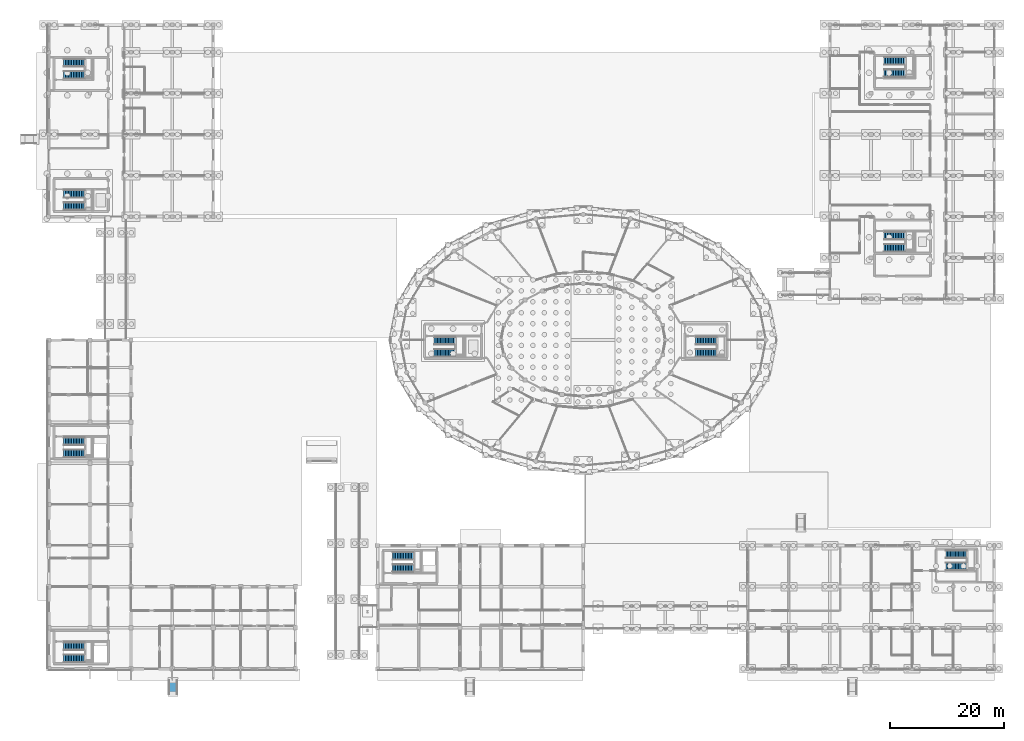
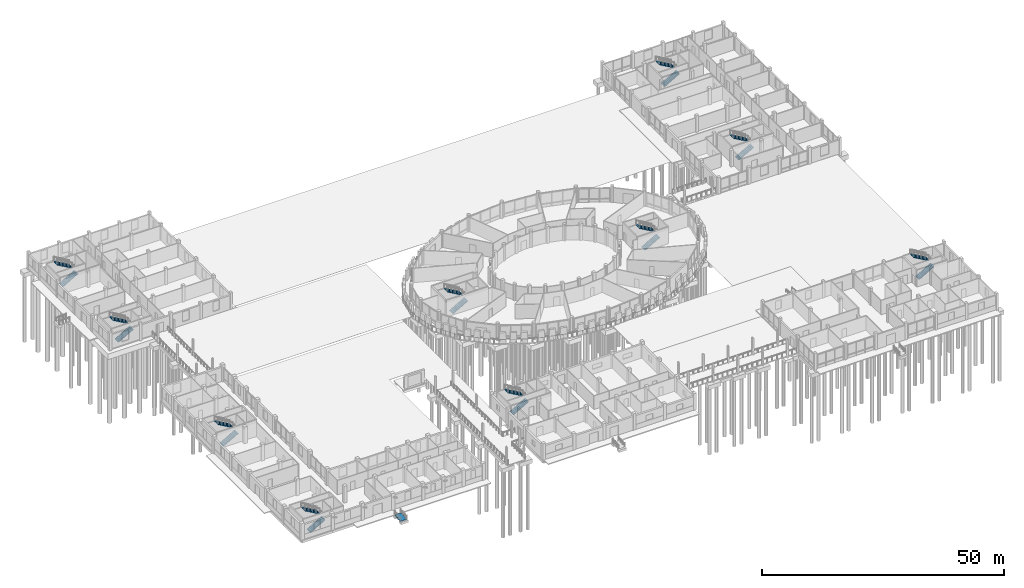
# One storey, part 86 of 98: 20 stair flights, 1 ramp flight, 11 elements without a shape of their own.
"""IFC4 building model written with IfcOpenShell, lengths in metres."""

import ifcopenshell
import ifcopenshell.guid

model = None  # the IFC model being written
_history = None  # IfcOwnerHistory: only IFC2X3 demands one
_inside = {}  # id of a spatial element -> (the spatial element, [elements in it])
_under = {}  # id of a project, library or spatial element -> (it, [spatial elements below it])
_declared = {}  # id of a project -> (the project, [libraries it declares])
_typed = {}  # id of a type object -> (the type object, [elements of that type])
_made_of = {}  # id of a material, layer set ... -> (it, [elements and type objects made of it])


def new_model(schema):
    """Start an empty IFC model of exactly this schema.

    Asked for "IFC4X3", IfcOpenShell would pick the latest addendum, in which some entities
    have other attributes; the version numbers below select the first issue.
    IFC2X3 requires an IfcOwnerHistory on every rooted entity: one is made here for all.
    """
    global model, _history
    if schema == "IFC4X3":
        model = ifcopenshell.file(schema_version=(4, 3, 0, 0))
    else:
        model = ifcopenshell.file(schema=schema)
    _inside.clear()
    _under.clear()
    _declared.clear()
    _typed.clear()
    _made_of.clear()
    _history = None
    if model.schema == "IFC2X3":
        org = make("IfcOrganization", Name="unknown")
        user = make(
            "IfcPersonAndOrganization",
            ThePerson=make("IfcPerson", FamilyName="unknown"),
            TheOrganization=org,
        )
        app = make(
            "IfcApplication",
            ApplicationDeveloper=org,
            Version="unknown",
            ApplicationFullName="unknown",
            ApplicationIdentifier="unknown",
        )
        _history = make(
            "IfcOwnerHistory",
            OwningUser=user,
            OwningApplication=app,
            ChangeAction="ADDED",
            CreationDate=0,
        )
    return model


def make(cls, **values):
    """One entity of the class cls with the attributes given. An attribute that is None is left unset."""
    return model.create_entity(
        cls, **{name: value for name, value in values.items() if value is not None}
    )


def rooted(cls, **values):
    """An entity with a GlobalId (a new one), such as an element, a storey or a relation."""
    return make(cls, GlobalId=ifcopenshell.guid.new(), OwnerHistory=_history, **values)


def si_unit(unit_type, name, prefix=None):
    """IfcSIUnit, for example si_unit("LENGTHUNIT", "METRE", prefix="MILLI")."""
    return make("IfcSIUnit", UnitType=unit_type, Prefix=prefix, Name=name)


def assignment(units):
    """IfcUnitAssignment: the units of a project."""
    return None if units is None else make("IfcUnitAssignment", Units=units)


def point(xyz):
    """IfcCartesianPoint."""
    return None if xyz is None else make("IfcCartesianPoint", Coordinates=xyz)


def direction(xyz):
    """IfcDirection."""
    return None if xyz is None else make("IfcDirection", DirectionRatios=xyz)


def frame(location, z_axis=None, x_axis=None):
    """IfcAxis2Placement3D, a coordinate frame: its origin and axes. An axis left out is left unset."""
    return make(
        "IfcAxis2Placement3D",
        Location=point(location),
        Axis=direction(z_axis),
        RefDirection=direction(x_axis),
    )


def origin():
    """The frame at (0, 0, 0) with its axes left unset."""
    return frame((0.0, 0.0, 0.0))


def place(relative_to, where):
    """IfcLocalPlacement: puts the frame where relative to a parent placement (None: the world)."""
    return make(
        "IfcLocalPlacement", PlacementRelTo=relative_to, RelativePlacement=where
    )


def context(
    kind, dimensions, precision=None, world=None, true_north=None, identifier=None
):
    """IfcGeometricRepresentationContext, for example the 3D "Model" context."""
    return make(
        "IfcGeometricRepresentationContext",
        ContextIdentifier=identifier,
        ContextType=kind,
        CoordinateSpaceDimension=dimensions,
        Precision=precision,
        WorldCoordinateSystem=world,
        TrueNorth=true_north,
    )


def subcontext(parent, identifier, kind, view, scale=None):
    """IfcGeometricRepresentationSubContext, for example "Body" below "Model"."""
    return make(
        "IfcGeometricRepresentationSubContext",
        ContextIdentifier=identifier,
        ContextType=kind,
        ParentContext=parent,
        TargetScale=scale,
        TargetView=view,
    )


def project(units=None, contexts=None):
    """IfcProject with its units and contexts."""
    return rooted(
        "IfcProject",
        Name="project",
        RepresentationContexts=contexts,
        UnitsInContext=assignment(units),
    )


def spatial(cls, under=None, at=None, **own):
    """A site, building, storey or space (cls), placed at a placement, below another one or the project."""
    s = rooted(cls, ObjectPlacement=at, **own)
    if under is not None:
        _under.setdefault(under.id(), (under, []))[1].append(s)
    return s


def polyline(points):
    """IfcPolyline through the points."""
    return make("IfcPolyline", Points=[point(p) for p in points])


def outline(outer, holes=None, kind="AREA"):
    """IfcArbitraryClosedProfileDef: a profile drawn as a closed curve; with holes, ...WithVoids."""
    if holes is None:
        return make("IfcArbitraryClosedProfileDef", ProfileType=kind, OuterCurve=outer)
    return make(
        "IfcArbitraryProfileDefWithVoids",
        ProfileType=kind,
        OuterCurve=outer,
        InnerCurves=holes,
    )


def extrude(swept, where, along, depth):
    """IfcExtrudedAreaSolid: the profile swept, set in the frame where, extruded along a direction by depth."""
    return make(
        "IfcExtrudedAreaSolid",
        SweptArea=swept,
        Position=where,
        ExtrudedDirection=direction(along),
        Depth=depth,
    )


def shape(context_of_items, identifier, shape_type, items):
    """IfcShapeRepresentation: the items that make up one representation, for example the "Body"."""
    return make(
        "IfcShapeRepresentation",
        ContextOfItems=context_of_items,
        RepresentationIdentifier=identifier,
        RepresentationType=shape_type,
        Items=items,
    )


def material(Name=None, Category=None):
    """IfcMaterial."""
    return make("IfcMaterial", Name=Name, Category=Category)


def layer(
    of_material, thickness, ventilated=None, Name=None, Category=None, Priority=None
):
    """IfcMaterialLayer: one layer of a wall or slab, of a material (None: an air gap)."""
    return make(
        "IfcMaterialLayer",
        Material=of_material,
        LayerThickness=thickness,
        IsVentilated=ventilated,
        Name=Name,
        Category=Category,
        Priority=Priority,
    )


def layer_set(layers, Name=None):
    """IfcMaterialLayerSet."""
    return make("IfcMaterialLayerSet", MaterialLayers=layers, LayerSetName=Name)


def made_of(thing, what):
    """Note that an element or type object is made of a material, layer set ...; save() writes the relation."""
    if what is not None:
        _made_of.setdefault(what.id(), (what, []))[1].append(thing)
    return thing


def type_object(cls, material=None, **own):
    """A type object (cls), such as IfcWallType, which elements share."""
    return made_of(rooted(cls, **own), material)


def element(
    cls,
    number,
    at=None,
    inside=None,
    cuts=None,
    type_object=None,
    material=None,
    context=None,
    identifier="Body",
    shape_type=None,
    held_by="IfcProductDefinitionShape",
    body=None,
    shapes=None,
    **own,
):
    """One element of the class cls, such as IfcWall. Its Tag is "e" and its number.

    at: its placement. inside: the storey or other place that contains it. cuts: it is an
    opening in that element (IfcRelVoidsElement). A single representation is given by context,
    identifier, shape_type and body (its items); several are given by shapes. held_by: the class
    of the entity that holds the representations. save() writes the other relations.
    """
    e = rooted(cls, Tag="e%d" % number, ObjectPlacement=at, **own)
    if body is not None:
        shapes = [shape(context, identifier, shape_type, body)]
    if shapes is not None:
        e.Representation = make(held_by, Representations=shapes)
    if inside is not None:
        _inside.setdefault(inside.id(), (inside, []))[1].append(e)
    if cuts is not None:
        rooted(
            "IfcRelVoidsElement", RelatingBuildingElement=cuts, RelatedOpeningElement=e
        )
    if type_object is not None:
        _typed.setdefault(type_object.id(), (type_object, []))[1].append(e)
    return made_of(e, material)


def aggregate(whole, parts):
    """IfcRelAggregates: a whole, such as a stair, and the parts it consists of."""
    return rooted("IfcRelAggregates", RelatingObject=whole, RelatedObjects=parts)


def save(model, path):
    """Write the relations noted so far, then the file.

    IfcRelAggregates (storeys below a building ...), IfcRelContainedInSpatialStructure (elements
    in a storey), IfcRelDefinesByType, IfcRelAssociatesMaterial and IfcRelDeclares: one each for
    every whole, place, type object, material and project.
    """
    for whole, parts in _under.values():
        aggregate(whole, parts)
    for where, things in _inside.values():
        rooted(
            "IfcRelContainedInSpatialStructure",
            RelatedElements=things,
            RelatingStructure=where,
        )
    for kind, things in _typed.values():
        rooted("IfcRelDefinesByType", RelatedObjects=things, RelatingType=kind)
    for what, things in _made_of.values():
        rooted("IfcRelAssociatesMaterial", RelatedObjects=things, RelatingMaterial=what)
    for by, libraries in _declared.values():
        rooted("IfcRelDeclares", RelatingContext=by, RelatedDefinitions=libraries)
    model.write(path)


model = new_model("IFC4")

# Units and contexts
model_context = context("Model", 3, precision=1e-05, world=origin(), true_north=direction((0.0, 1.0)))
body_context = subcontext(model_context, "Body", "Model", "MODEL_VIEW")
ifc_project = project(units=[si_unit("LENGTHUNIT", "METRE"), si_unit("AREAUNIT", "SQUARE_METRE"), si_unit("VOLUMEUNIT", "CUBIC_METRE"), si_unit("PLANEANGLEUNIT", "RADIAN"), si_unit("MASSUNIT", "GRAM", prefix="KILO")], contexts=[model_context])

# Site, building, storey
site_placement = place(None, origin())
site = spatial("IfcSite", under=ifc_project, at=site_placement, CompositionType="ELEMENT")
building_placement = place(site_placement, origin())
building = spatial("IfcBuilding", under=site, at=building_placement, Name="Zornivar Specialist Clinic", CompositionType="ELEMENT")
storey_placement = place(building_placement, origin())
storey = spatial("IfcBuildingStorey", under=building, at=storey_placement, Name="L00", CompositionType="ELEMENT", Elevation=0.0)

# Stair, stair flights
ifc_material_1 = material(Name="Concrete C30/37", Category="concrete")
stair_type = type_object("IfcStairType", Name="STR-CORE-L00-L01", PredefinedType="HALF_TURN_STAIR", material=ifc_material_1)
stair_1_placement = place(storey_placement, origin())
stair_1 = element("IfcStair", 1, at=stair_1_placement, inside=storey, type_object=stair_type, Name="stair:C1:L00", PredefinedType="HALF_TURN_STAIR")
ifc_material_2 = material(Name="Concrete C30/37", Category="concrete")
stair_flight_type = type_object("IfcStairFlightType", Name="STR-CORE-L00-L01-FLT", PredefinedType="STRAIGHT", material=ifc_material_2)
stair_flight_1_placement = place(storey_placement, frame((2.60009765625, 1.820068359375, 0.0), z_axis=(0.0, 0.0, 1.0), x_axis=(1.0, 0.0, 0.0)))
stair_flight_1 = element("IfcStairFlight", 2, at=stair_flight_1_placement, type_object=stair_flight_type, Name="stair:C1:L00:f1", NumberOfRisers=14, NumberOfTreads=13, PredefinedType="STRAIGHT", RiserHeight=0.160714, TreadLength=0.28, context=body_context, shape_type="SweptSolid", body=[
    extrude(outline(polyline([(0.0, 0.0), (0.0, 0.16064453125), (0.280029296875, 0.16064453125), (0.280029296875, 0.321533203125), (0.56005859375, 0.321533203125), (0.56005859375, 0.482177734375), (0.840087890625, 0.482177734375), (0.840087890625, 0.642822265625), (1.1201171875, 0.642822265625), (1.1201171875, 0.803466796875), (1.39990234375, 0.803466796875), (1.39990234375, 0.96435546875), (1.679931640625, 0.96435546875), (1.679931640625, 1.125), (1.9599609375, 1.125), (1.9599609375, 1.28564453125), (2.239990234375, 1.28564453125), (2.239990234375, 1.446533203125), (2.52001953125, 1.446533203125), (2.52001953125, 1.607177734375), (2.800048828125, 1.607177734375), (2.800048828125, 1.767822265625), (3.080078125, 1.767822265625), (3.080078125, 1.928466796875), (3.360107421875, 1.928466796875), (3.360107421875, 2.08935546875), (3.639892578125, 2.08935546875), (3.639892578125, 2.25), (3.639892578125, 1.90478515625), (0.3212890625, 0.0), (0.0, 0.0)])), frame((0.0, 0.699951171875, 0.0), z_axis=(0.0, -1.0, 0.0), x_axis=(1.0, 0.0, 0.0)), (0.0, 0.0, 1.0), 1.39990234375),
])
stair_flight_2_placement = place(storey_placement, frame((6.239990234375, 3.97998046875, 2.25), z_axis=(0.0, 0.0, 1.0), x_axis=(-1.0, 0.0, 0.0)))
stair_flight_2 = element("IfcStairFlight", 3, at=stair_flight_2_placement, type_object=stair_flight_type, Name="stair:C1:L00:f2", NumberOfRisers=14, NumberOfTreads=13, PredefinedType="STRAIGHT", RiserHeight=0.160714, TreadLength=0.28, context=body_context, shape_type="SweptSolid", body=[
    extrude(outline(polyline([(0.0, 0.0), (0.0, 0.16064453125), (0.280029296875, 0.16064453125), (0.280029296875, 0.321533203125), (0.56005859375, 0.321533203125), (0.56005859375, 0.482177734375), (0.840087890625, 0.482177734375), (0.840087890625, 0.642822265625), (1.1201171875, 0.642822265625), (1.1201171875, 0.803466796875), (1.39990234375, 0.803466796875), (1.39990234375, 0.96435546875), (1.679931640625, 0.96435546875), (1.679931640625, 1.125), (1.9599609375, 1.125), (1.9599609375, 1.28564453125), (2.239990234375, 1.28564453125), (2.239990234375, 1.446533203125), (2.52001953125, 1.446533203125), (2.52001953125, 1.607177734375), (2.800048828125, 1.607177734375), (2.800048828125, 1.767822265625), (3.080078125, 1.767822265625), (3.080078125, 1.928466796875), (3.360107421875, 1.928466796875), (3.360107421875, 2.08935546875), (3.639892578125, 2.08935546875), (3.639892578125, 2.25), (3.639892578125, 1.90478515625), (0.3212890625, 0.0), (0.0, 0.0)])), frame((0.0, 0.699951171875, 0.0), z_axis=(0.0, -1.0, 0.0), x_axis=(1.0, 0.0, 0.0)), (0.0, 0.0, 1.0), 1.39990234375),
])
aggregate(stair_1, [stair_flight_1, stair_flight_2])

stair_2_placement = place(storey_placement, origin())
stair_2 = element("IfcStair", 4, at=stair_2_placement, inside=storey, type_object=stair_type, Name="stair:C2:L00", PredefinedType="HALF_TURN_STAIR")
stair_flight_3_placement = place(storey_placement, frame((2.60009765625, 37.719970703125, 0.0), z_axis=(0.0, 0.0, 1.0), x_axis=(1.0, 0.0, 0.0)))
stair_flight_3 = element("IfcStairFlight", 5, at=stair_flight_3_placement, type_object=stair_flight_type, Name="stair:C2:L00:f1", NumberOfRisers=14, NumberOfTreads=13, PredefinedType="STRAIGHT", RiserHeight=0.160714, TreadLength=0.28, context=body_context, shape_type="SweptSolid", body=[
    extrude(outline(polyline([(0.0, 0.0), (0.0, 0.16064453125), (0.280029296875, 0.16064453125), (0.280029296875, 0.321533203125), (0.56005859375, 0.321533203125), (0.56005859375, 0.482177734375), (0.840087890625, 0.482177734375), (0.840087890625, 0.642822265625), (1.1201171875, 0.642822265625), (1.1201171875, 0.803466796875), (1.39990234375, 0.803466796875), (1.39990234375, 0.96435546875), (1.679931640625, 0.96435546875), (1.679931640625, 1.125), (1.9599609375, 1.125), (1.9599609375, 1.28564453125), (2.239990234375, 1.28564453125), (2.239990234375, 1.446533203125), (2.52001953125, 1.446533203125), (2.52001953125, 1.607177734375), (2.800048828125, 1.607177734375), (2.800048828125, 1.767822265625), (3.080078125, 1.767822265625), (3.080078125, 1.928466796875), (3.360107421875, 1.928466796875), (3.360107421875, 2.08935546875), (3.639892578125, 2.08935546875), (3.639892578125, 2.25), (3.639892578125, 1.90478515625), (0.3212890625, 0.0), (0.0, 0.0)])), frame((0.0, 0.699951171875, 0.0), z_axis=(0.0, -1.0, 0.0), x_axis=(1.0, 0.0, 0.0)), (0.0, 0.0, 1.0), 1.39990234375),
])
stair_flight_4_placement = place(storey_placement, frame((6.239990234375, 39.8798828125, 2.25), z_axis=(0.0, 0.0, 1.0), x_axis=(-1.0, 0.0, 0.0)))
stair_flight_4 = element("IfcStairFlight", 6, at=stair_flight_4_placement, type_object=stair_flight_type, Name="stair:C2:L00:f2", NumberOfRisers=14, NumberOfTreads=13, PredefinedType="STRAIGHT", RiserHeight=0.160714, TreadLength=0.28, context=body_context, shape_type="SweptSolid", body=[
    extrude(outline(polyline([(0.0, 0.0), (0.0, 0.16064453125), (0.280029296875, 0.16064453125), (0.280029296875, 0.321533203125), (0.56005859375, 0.321533203125), (0.56005859375, 0.482177734375), (0.840087890625, 0.482177734375), (0.840087890625, 0.642822265625), (1.1201171875, 0.642822265625), (1.1201171875, 0.803466796875), (1.39990234375, 0.803466796875), (1.39990234375, 0.96435546875), (1.679931640625, 0.96435546875), (1.679931640625, 1.125), (1.9599609375, 1.125), (1.9599609375, 1.28564453125), (2.239990234375, 1.28564453125), (2.239990234375, 1.446533203125), (2.52001953125, 1.446533203125), (2.52001953125, 1.607177734375), (2.800048828125, 1.607177734375), (2.800048828125, 1.767822265625), (3.080078125, 1.767822265625), (3.080078125, 1.928466796875), (3.360107421875, 1.928466796875), (3.360107421875, 2.08935546875), (3.639892578125, 2.08935546875), (3.639892578125, 2.25), (3.639892578125, 1.90478515625), (0.3212890625, 0.0), (0.0, 0.0)])), frame((0.0, 0.699951171875, 0.0), z_axis=(0.0, -1.0, 0.0), x_axis=(1.0, 0.0, 0.0)), (0.0, 0.0, 1.0), 1.39990234375),
])
aggregate(stair_2, [stair_flight_3, stair_flight_4])

stair_3_placement = place(storey_placement, origin())
stair_3 = element("IfcStair", 7, at=stair_3_placement, inside=storey, type_object=stair_type, Name="stair:C3:L00", PredefinedType="HALF_TURN_STAIR")
stair_flight_5_placement = place(storey_placement, frame((67.5, 55.320068359375, 0.0), z_axis=(0.0, 0.0, 1.0), x_axis=(1.0, 0.0, 0.0)))
stair_flight_5 = element("IfcStairFlight", 8, at=stair_flight_5_placement, type_object=stair_flight_type, Name="stair:C3:L00:f1", NumberOfRisers=14, NumberOfTreads=13, PredefinedType="STRAIGHT", RiserHeight=0.160714, TreadLength=0.28, context=body_context, shape_type="SweptSolid", body=[
    extrude(outline(polyline([(0.0, 0.0), (0.0, 0.16064453125), (0.280029296875, 0.16064453125), (0.280029296875, 0.321533203125), (0.56005859375, 0.321533203125), (0.56005859375, 0.482177734375), (0.840087890625, 0.482177734375), (0.840087890625, 0.642822265625), (1.1201171875, 0.642822265625), (1.1201171875, 0.803466796875), (1.39990234375, 0.803466796875), (1.39990234375, 0.96435546875), (1.679931640625, 0.96435546875), (1.679931640625, 1.125), (1.9599609375, 1.125), (1.9599609375, 1.28564453125), (2.239990234375, 1.28564453125), (2.239990234375, 1.446533203125), (2.52001953125, 1.446533203125), (2.52001953125, 1.607177734375), (2.800048828125, 1.607177734375), (2.800048828125, 1.767822265625), (3.080078125, 1.767822265625), (3.080078125, 1.928466796875), (3.360107421875, 1.928466796875), (3.360107421875, 2.08935546875), (3.639892578125, 2.08935546875), (3.639892578125, 2.25), (3.639892578125, 1.90478515625), (0.3212890625, 0.0), (0.0, 0.0)])), frame((0.0, 0.699951171875, 0.0), z_axis=(0.0, -1.0, 0.0), x_axis=(1.0, 0.0, 0.0)), (0.0, 0.0, 1.0), 1.39990234375),
])
stair_flight_6_placement = place(storey_placement, frame((71.139892578125, 57.47998046875, 2.25), z_axis=(0.0, 0.0, 1.0), x_axis=(-1.0, 0.0, 0.0)))
stair_flight_6 = element("IfcStairFlight", 9, at=stair_flight_6_placement, type_object=stair_flight_type, Name="stair:C3:L00:f2", NumberOfRisers=14, NumberOfTreads=13, PredefinedType="STRAIGHT", RiserHeight=0.160714, TreadLength=0.28, context=body_context, shape_type="SweptSolid", body=[
    extrude(outline(polyline([(0.0, 0.0), (0.0, 0.16064453125), (0.280029296875, 0.16064453125), (0.280029296875, 0.321533203125), (0.56005859375, 0.321533203125), (0.56005859375, 0.482177734375), (0.840087890625, 0.482177734375), (0.840087890625, 0.642822265625), (1.1201171875, 0.642822265625), (1.1201171875, 0.803466796875), (1.39990234375, 0.803466796875), (1.39990234375, 0.96435546875), (1.679931640625, 0.96435546875), (1.679931640625, 1.125), (1.9599609375, 1.125), (1.9599609375, 1.28564453125), (2.239990234375, 1.28564453125), (2.239990234375, 1.446533203125), (2.52001953125, 1.446533203125), (2.52001953125, 1.607177734375), (2.800048828125, 1.607177734375), (2.800048828125, 1.767822265625), (3.080078125, 1.767822265625), (3.080078125, 1.928466796875), (3.360107421875, 1.928466796875), (3.360107421875, 2.08935546875), (3.639892578125, 2.08935546875), (3.639892578125, 2.25), (3.639892578125, 1.90478515625), (0.3212890625, 0.0), (0.0, 0.0)])), frame((0.0, 0.699951171875, 0.0), z_axis=(0.0, -1.0, 0.0), x_axis=(1.0, 0.0, 0.0)), (0.0, 0.0, 1.0), 1.39990234375),
])
aggregate(stair_3, [stair_flight_5, stair_flight_6])

stair_4_placement = place(storey_placement, origin())
stair_4 = element("IfcStair", 10, at=stair_4_placement, inside=storey, type_object=stair_type, Name="stair:C4:L00", PredefinedType="HALF_TURN_STAIR")
stair_flight_7_placement = place(storey_placement, frame((113.300048828125, 55.320068359375, 0.0), z_axis=(0.0, 0.0, 1.0), x_axis=(1.0, 0.0, 0.0)))
stair_flight_7 = element("IfcStairFlight", 11, at=stair_flight_7_placement, type_object=stair_flight_type, Name="stair:C4:L00:f1", NumberOfRisers=14, NumberOfTreads=13, PredefinedType="STRAIGHT", RiserHeight=0.160714, TreadLength=0.28, context=body_context, shape_type="SweptSolid", body=[
    extrude(outline(polyline([(0.0, 0.0), (0.0, 0.16064453125), (0.280029296875, 0.16064453125), (0.280029296875, 0.321533203125), (0.56005859375, 0.321533203125), (0.56005859375, 0.482177734375), (0.840087890625, 0.482177734375), (0.840087890625, 0.642822265625), (1.1201171875, 0.642822265625), (1.1201171875, 0.803466796875), (1.39990234375, 0.803466796875), (1.39990234375, 0.96435546875), (1.679931640625, 0.96435546875), (1.679931640625, 1.125), (1.9599609375, 1.125), (1.9599609375, 1.28564453125), (2.239990234375, 1.28564453125), (2.239990234375, 1.446533203125), (2.52001953125, 1.446533203125), (2.52001953125, 1.607177734375), (2.800048828125, 1.607177734375), (2.800048828125, 1.767822265625), (3.080078125, 1.767822265625), (3.080078125, 1.928466796875), (3.360107421875, 1.928466796875), (3.360107421875, 2.08935546875), (3.639892578125, 2.08935546875), (3.639892578125, 2.25), (3.639892578125, 1.90478515625), (0.3212890625, 0.0), (0.0, 0.0)])), frame((0.0, 0.699951171875, 0.0), z_axis=(0.0, -1.0, 0.0), x_axis=(1.0, 0.0, 0.0)), (0.0, 0.0, 1.0), 1.39990234375),
])
stair_flight_8_placement = place(storey_placement, frame((116.93994140625, 57.47998046875, 2.25), z_axis=(0.0, 0.0, 1.0), x_axis=(-1.0, 0.0, 0.0)))
stair_flight_8 = element("IfcStairFlight", 12, at=stair_flight_8_placement, type_object=stair_flight_type, Name="stair:C4:L00:f2", NumberOfRisers=14, NumberOfTreads=13, PredefinedType="STRAIGHT", RiserHeight=0.160714, TreadLength=0.28, context=body_context, shape_type="SweptSolid", body=[
    extrude(outline(polyline([(0.0, 0.0), (0.0, 0.16064453125), (0.280029296875, 0.16064453125), (0.280029296875, 0.321533203125), (0.56005859375, 0.321533203125), (0.56005859375, 0.482177734375), (0.840087890625, 0.482177734375), (0.840087890625, 0.642822265625), (1.1201171875, 0.642822265625), (1.1201171875, 0.803466796875), (1.39990234375, 0.803466796875), (1.39990234375, 0.96435546875), (1.679931640625, 0.96435546875), (1.679931640625, 1.125), (1.9599609375, 1.125), (1.9599609375, 1.28564453125), (2.239990234375, 1.28564453125), (2.239990234375, 1.446533203125), (2.52001953125, 1.446533203125), (2.52001953125, 1.607177734375), (2.800048828125, 1.607177734375), (2.800048828125, 1.767822265625), (3.080078125, 1.767822265625), (3.080078125, 1.928466796875), (3.360107421875, 1.928466796875), (3.360107421875, 2.08935546875), (3.639892578125, 2.08935546875), (3.639892578125, 2.25), (3.639892578125, 1.90478515625), (0.3212890625, 0.0), (0.0, 0.0)])), frame((0.0, 0.699951171875, 0.0), z_axis=(0.0, -1.0, 0.0), x_axis=(1.0, 0.0, 0.0)), (0.0, 0.0, 1.0), 1.39990234375),
])
aggregate(stair_4, [stair_flight_7, stair_flight_8])

stair_5_placement = place(storey_placement, origin())
stair_5 = element("IfcStair", 13, at=stair_5_placement, inside=storey, type_object=stair_type, Name="stair:C5:L00", PredefinedType="HALF_TURN_STAIR")
stair_flight_9_placement = place(storey_placement, frame((60.199951171875, 17.6201171875, 0.0), z_axis=(0.0, 0.0, 1.0), x_axis=(1.0, 0.0, 0.0)))
stair_flight_9 = element("IfcStairFlight", 14, at=stair_flight_9_placement, type_object=stair_flight_type, Name="stair:C5:L00:f1", NumberOfRisers=14, NumberOfTreads=13, PredefinedType="STRAIGHT", RiserHeight=0.160714, TreadLength=0.28, context=body_context, shape_type="SweptSolid", body=[
    extrude(outline(polyline([(0.0, 0.0), (0.0, 0.16064453125), (0.280029296875, 0.16064453125), (0.280029296875, 0.321533203125), (0.56005859375, 0.321533203125), (0.56005859375, 0.482177734375), (0.840087890625, 0.482177734375), (0.840087890625, 0.642822265625), (1.1201171875, 0.642822265625), (1.1201171875, 0.803466796875), (1.39990234375, 0.803466796875), (1.39990234375, 0.96435546875), (1.679931640625, 0.96435546875), (1.679931640625, 1.125), (1.9599609375, 1.125), (1.9599609375, 1.28564453125), (2.239990234375, 1.28564453125), (2.239990234375, 1.446533203125), (2.52001953125, 1.446533203125), (2.52001953125, 1.607177734375), (2.800048828125, 1.607177734375), (2.800048828125, 1.767822265625), (3.080078125, 1.767822265625), (3.080078125, 1.928466796875), (3.360107421875, 1.928466796875), (3.360107421875, 2.08935546875), (3.639892578125, 2.08935546875), (3.639892578125, 2.25), (3.639892578125, 1.90478515625), (0.3212890625, 0.0), (0.0, 0.0)])), frame((0.0, 0.699951171875, 0.0), z_axis=(0.0, -1.0, 0.0), x_axis=(1.0, 0.0, 0.0)), (0.0, 0.0, 1.0), 1.39990234375),
])
stair_flight_10_placement = place(storey_placement, frame((63.840087890625, 19.780029296875, 2.25), z_axis=(0.0, 0.0, 1.0), x_axis=(-1.0, 0.0, 0.0)))
stair_flight_10 = element("IfcStairFlight", 15, at=stair_flight_10_placement, type_object=stair_flight_type, Name="stair:C5:L00:f2", NumberOfRisers=14, NumberOfTreads=13, PredefinedType="STRAIGHT", RiserHeight=0.160714, TreadLength=0.28, context=body_context, shape_type="SweptSolid", body=[
    extrude(outline(polyline([(0.0, 0.0), (0.0, 0.16064453125), (0.280029296875, 0.16064453125), (0.280029296875, 0.321533203125), (0.56005859375, 0.321533203125), (0.56005859375, 0.482177734375), (0.840087890625, 0.482177734375), (0.840087890625, 0.642822265625), (1.1201171875, 0.642822265625), (1.1201171875, 0.803466796875), (1.39990234375, 0.803466796875), (1.39990234375, 0.96435546875), (1.679931640625, 0.96435546875), (1.679931640625, 1.125), (1.9599609375, 1.125), (1.9599609375, 1.28564453125), (2.239990234375, 1.28564453125), (2.239990234375, 1.446533203125), (2.52001953125, 1.446533203125), (2.52001953125, 1.607177734375), (2.800048828125, 1.607177734375), (2.800048828125, 1.767822265625), (3.080078125, 1.767822265625), (3.080078125, 1.928466796875), (3.360107421875, 1.928466796875), (3.360107421875, 2.08935546875), (3.639892578125, 2.08935546875), (3.639892578125, 2.25), (3.639892578125, 1.90478515625), (0.3212890625, 0.0), (0.0, 0.0)])), frame((0.0, 0.699951171875, 0.0), z_axis=(0.0, -1.0, 0.0), x_axis=(1.0, 0.0, 0.0)), (0.0, 0.0, 1.0), 1.39990234375),
])
aggregate(stair_5, [stair_flight_9, stair_flight_10])

stair_6_placement = place(storey_placement, origin())
stair_6 = element("IfcStair", 16, at=stair_6_placement, inside=storey, type_object=stair_type, Name="stair:C6:L00", PredefinedType="HALF_TURN_STAIR")
stair_flight_11_placement = place(storey_placement, frame((157.10009765625, 17.919921875, 0.0), z_axis=(0.0, 0.0, 1.0), x_axis=(1.0, 0.0, 0.0)))
stair_flight_11 = element("IfcStairFlight", 17, at=stair_flight_11_placement, type_object=stair_flight_type, Name="stair:C6:L00:f1", NumberOfRisers=14, NumberOfTreads=13, PredefinedType="STRAIGHT", RiserHeight=0.160714, TreadLength=0.28, context=body_context, shape_type="SweptSolid", body=[
    extrude(outline(polyline([(0.0, 0.0), (0.0, 0.16064453125), (0.280029296875, 0.16064453125), (0.280029296875, 0.321533203125), (0.56005859375, 0.321533203125), (0.56005859375, 0.482177734375), (0.840087890625, 0.482177734375), (0.840087890625, 0.642822265625), (1.1201171875, 0.642822265625), (1.1201171875, 0.803466796875), (1.39990234375, 0.803466796875), (1.39990234375, 0.96435546875), (1.679931640625, 0.96435546875), (1.679931640625, 1.125), (1.9599609375, 1.125), (1.9599609375, 1.28564453125), (2.239990234375, 1.28564453125), (2.239990234375, 1.446533203125), (2.52001953125, 1.446533203125), (2.52001953125, 1.607177734375), (2.800048828125, 1.607177734375), (2.800048828125, 1.767822265625), (3.080078125, 1.767822265625), (3.080078125, 1.928466796875), (3.360107421875, 1.928466796875), (3.360107421875, 2.08935546875), (3.639892578125, 2.08935546875), (3.639892578125, 2.25), (3.639892578125, 1.90478515625), (0.3212890625, 0.0), (0.0, 0.0)])), frame((0.0, 0.699951171875, 0.0), z_axis=(0.0, -1.0, 0.0), x_axis=(1.0, 0.0, 0.0)), (0.0, 0.0, 1.0), 1.39990234375),
])
stair_flight_12_placement = place(storey_placement, frame((160.739990234375, 20.080078125, 2.25), z_axis=(0.0, 0.0, 1.0), x_axis=(-1.0, 0.0, 0.0)))
stair_flight_12 = element("IfcStairFlight", 18, at=stair_flight_12_placement, type_object=stair_flight_type, Name="stair:C6:L00:f2", NumberOfRisers=14, NumberOfTreads=13, PredefinedType="STRAIGHT", RiserHeight=0.160714, TreadLength=0.28, context=body_context, shape_type="SweptSolid", body=[
    extrude(outline(polyline([(0.0, 0.0), (0.0, 0.16064453125), (0.280029296875, 0.16064453125), (0.280029296875, 0.321533203125), (0.56005859375, 0.321533203125), (0.56005859375, 0.482177734375), (0.840087890625, 0.482177734375), (0.840087890625, 0.642822265625), (1.1201171875, 0.642822265625), (1.1201171875, 0.803466796875), (1.39990234375, 0.803466796875), (1.39990234375, 0.96435546875), (1.679931640625, 0.96435546875), (1.679931640625, 1.125), (1.9599609375, 1.125), (1.9599609375, 1.28564453125), (2.239990234375, 1.28564453125), (2.239990234375, 1.446533203125), (2.52001953125, 1.446533203125), (2.52001953125, 1.607177734375), (2.800048828125, 1.607177734375), (2.800048828125, 1.767822265625), (3.080078125, 1.767822265625), (3.080078125, 1.928466796875), (3.360107421875, 1.928466796875), (3.360107421875, 2.08935546875), (3.639892578125, 2.08935546875), (3.639892578125, 2.25), (3.639892578125, 1.90478515625), (0.3212890625, 0.0), (0.0, 0.0)])), frame((0.0, 0.699951171875, 0.0), z_axis=(0.0, -1.0, 0.0), x_axis=(1.0, 0.0, 0.0)), (0.0, 0.0, 1.0), 1.39990234375),
])
aggregate(stair_6, [stair_flight_11, stair_flight_12])

stair_7_placement = place(storey_placement, origin())
stair_7 = element("IfcStair", 19, at=stair_7_placement, inside=storey, type_object=stair_type, Name="stair:C7:L00", PredefinedType="HALF_TURN_STAIR")
stair_flight_13_placement = place(storey_placement, frame((2.60009765625, 81.02001953125, 0.0), z_axis=(0.0, 0.0, 1.0), x_axis=(1.0, 0.0, 0.0)))
stair_flight_13 = element("IfcStairFlight", 20, at=stair_flight_13_placement, type_object=stair_flight_type, Name="stair:C7:L00:f1", NumberOfRisers=14, NumberOfTreads=13, PredefinedType="STRAIGHT", RiserHeight=0.160714, TreadLength=0.28, context=body_context, shape_type="SweptSolid", body=[
    extrude(outline(polyline([(0.0, 0.0), (0.0, 0.16064453125), (0.280029296875, 0.16064453125), (0.280029296875, 0.321533203125), (0.56005859375, 0.321533203125), (0.56005859375, 0.482177734375), (0.840087890625, 0.482177734375), (0.840087890625, 0.642822265625), (1.1201171875, 0.642822265625), (1.1201171875, 0.803466796875), (1.39990234375, 0.803466796875), (1.39990234375, 0.96435546875), (1.679931640625, 0.96435546875), (1.679931640625, 1.125), (1.9599609375, 1.125), (1.9599609375, 1.28564453125), (2.239990234375, 1.28564453125), (2.239990234375, 1.446533203125), (2.52001953125, 1.446533203125), (2.52001953125, 1.607177734375), (2.800048828125, 1.607177734375), (2.800048828125, 1.767822265625), (3.080078125, 1.767822265625), (3.080078125, 1.928466796875), (3.360107421875, 1.928466796875), (3.360107421875, 2.08935546875), (3.639892578125, 2.08935546875), (3.639892578125, 2.25), (3.639892578125, 1.90478515625), (0.3212890625, 0.0), (0.0, 0.0)])), frame((0.0, 0.699951171875, 0.0), z_axis=(0.0, -1.0, 0.0), x_axis=(1.0, 0.0, 0.0)), (0.0, 0.0, 1.0), 1.39990234375),
])
stair_flight_14_placement = place(storey_placement, frame((6.239990234375, 83.179931640625, 2.25), z_axis=(0.0, 0.0, 1.0), x_axis=(-1.0, 0.0, 0.0)))
stair_flight_14 = element("IfcStairFlight", 21, at=stair_flight_14_placement, type_object=stair_flight_type, Name="stair:C7:L00:f2", NumberOfRisers=14, NumberOfTreads=13, PredefinedType="STRAIGHT", RiserHeight=0.160714, TreadLength=0.28, context=body_context, shape_type="SweptSolid", body=[
    extrude(outline(polyline([(0.0, 0.0), (0.0, 0.16064453125), (0.280029296875, 0.16064453125), (0.280029296875, 0.321533203125), (0.56005859375, 0.321533203125), (0.56005859375, 0.482177734375), (0.840087890625, 0.482177734375), (0.840087890625, 0.642822265625), (1.1201171875, 0.642822265625), (1.1201171875, 0.803466796875), (1.39990234375, 0.803466796875), (1.39990234375, 0.96435546875), (1.679931640625, 0.96435546875), (1.679931640625, 1.125), (1.9599609375, 1.125), (1.9599609375, 1.28564453125), (2.239990234375, 1.28564453125), (2.239990234375, 1.446533203125), (2.52001953125, 1.446533203125), (2.52001953125, 1.607177734375), (2.800048828125, 1.607177734375), (2.800048828125, 1.767822265625), (3.080078125, 1.767822265625), (3.080078125, 1.928466796875), (3.360107421875, 1.928466796875), (3.360107421875, 2.08935546875), (3.639892578125, 2.08935546875), (3.639892578125, 2.25), (3.639892578125, 1.90478515625), (0.3212890625, 0.0), (0.0, 0.0)])), frame((0.0, 0.699951171875, 0.0), z_axis=(0.0, -1.0, 0.0), x_axis=(1.0, 0.0, 0.0)), (0.0, 0.0, 1.0), 1.39990234375),
])
aggregate(stair_7, [stair_flight_13, stair_flight_14])

stair_8_placement = place(storey_placement, origin())
stair_8 = element("IfcStair", 22, at=stair_8_placement, inside=storey, type_object=stair_type, Name="stair:C8:L00", PredefinedType="HALF_TURN_STAIR")
stair_flight_15_placement = place(storey_placement, frame((2.60009765625, 104.02001953125, 0.0), z_axis=(0.0, 0.0, 1.0), x_axis=(1.0, 0.0, 0.0)))
stair_flight_15 = element("IfcStairFlight", 23, at=stair_flight_15_placement, type_object=stair_flight_type, Name="stair:C8:L00:f1", NumberOfRisers=14, NumberOfTreads=13, PredefinedType="STRAIGHT", RiserHeight=0.160714, TreadLength=0.28, context=body_context, shape_type="SweptSolid", body=[
    extrude(outline(polyline([(0.0, 0.0), (0.0, 0.16064453125), (0.280029296875, 0.16064453125), (0.280029296875, 0.321533203125), (0.56005859375, 0.321533203125), (0.56005859375, 0.482177734375), (0.840087890625, 0.482177734375), (0.840087890625, 0.642822265625), (1.1201171875, 0.642822265625), (1.1201171875, 0.803466796875), (1.39990234375, 0.803466796875), (1.39990234375, 0.96435546875), (1.679931640625, 0.96435546875), (1.679931640625, 1.125), (1.9599609375, 1.125), (1.9599609375, 1.28564453125), (2.239990234375, 1.28564453125), (2.239990234375, 1.446533203125), (2.52001953125, 1.446533203125), (2.52001953125, 1.607177734375), (2.800048828125, 1.607177734375), (2.800048828125, 1.767822265625), (3.080078125, 1.767822265625), (3.080078125, 1.928466796875), (3.360107421875, 1.928466796875), (3.360107421875, 2.08935546875), (3.639892578125, 2.08935546875), (3.639892578125, 2.25), (3.639892578125, 1.90478515625), (0.3212890625, 0.0), (0.0, 0.0)])), frame((0.0, 0.699951171875, 0.0), z_axis=(0.0, -1.0, 0.0), x_axis=(1.0, 0.0, 0.0)), (0.0, 0.0, 1.0), 1.39990234375),
])
stair_flight_16_placement = place(storey_placement, frame((6.239990234375, 106.179931640625, 2.25), z_axis=(0.0, 0.0, 1.0), x_axis=(-1.0, 0.0, 0.0)))
stair_flight_16 = element("IfcStairFlight", 24, at=stair_flight_16_placement, type_object=stair_flight_type, Name="stair:C8:L00:f2", NumberOfRisers=14, NumberOfTreads=13, PredefinedType="STRAIGHT", RiserHeight=0.160714, TreadLength=0.28, context=body_context, shape_type="SweptSolid", body=[
    extrude(outline(polyline([(0.0, 0.0), (0.0, 0.16064453125), (0.280029296875, 0.16064453125), (0.280029296875, 0.321533203125), (0.56005859375, 0.321533203125), (0.56005859375, 0.482177734375), (0.840087890625, 0.482177734375), (0.840087890625, 0.642822265625), (1.1201171875, 0.642822265625), (1.1201171875, 0.803466796875), (1.39990234375, 0.803466796875), (1.39990234375, 0.96435546875), (1.679931640625, 0.96435546875), (1.679931640625, 1.125), (1.9599609375, 1.125), (1.9599609375, 1.28564453125), (2.239990234375, 1.28564453125), (2.239990234375, 1.446533203125), (2.52001953125, 1.446533203125), (2.52001953125, 1.607177734375), (2.800048828125, 1.607177734375), (2.800048828125, 1.767822265625), (3.080078125, 1.767822265625), (3.080078125, 1.928466796875), (3.360107421875, 1.928466796875), (3.360107421875, 2.08935546875), (3.639892578125, 2.08935546875), (3.639892578125, 2.25), (3.639892578125, 1.90478515625), (0.3212890625, 0.0), (0.0, 0.0)])), frame((0.0, 0.699951171875, 0.0), z_axis=(0.0, -1.0, 0.0), x_axis=(1.0, 0.0, 0.0)), (0.0, 0.0, 1.0), 1.39990234375),
])
aggregate(stair_8, [stair_flight_15, stair_flight_16])

stair_9_placement = place(storey_placement, origin())
stair_9 = element("IfcStair", 25, at=stair_9_placement, inside=storey, type_object=stair_type, Name="stair:C9:L00", PredefinedType="HALF_TURN_STAIR")
stair_flight_17_placement = place(storey_placement, frame((146.300048828125, 73.719970703125, 0.0), z_axis=(0.0, 0.0, 1.0), x_axis=(1.0, 0.0, 0.0)))
stair_flight_17 = element("IfcStairFlight", 26, at=stair_flight_17_placement, type_object=stair_flight_type, Name="stair:C9:L00:f1", NumberOfRisers=14, NumberOfTreads=13, PredefinedType="STRAIGHT", RiserHeight=0.160714, TreadLength=0.28, context=body_context, shape_type="SweptSolid", body=[
    extrude(outline(polyline([(0.0, 0.0), (0.0, 0.16064453125), (0.280029296875, 0.16064453125), (0.280029296875, 0.321533203125), (0.56005859375, 0.321533203125), (0.56005859375, 0.482177734375), (0.840087890625, 0.482177734375), (0.840087890625, 0.642822265625), (1.1201171875, 0.642822265625), (1.1201171875, 0.803466796875), (1.39990234375, 0.803466796875), (1.39990234375, 0.96435546875), (1.679931640625, 0.96435546875), (1.679931640625, 1.125), (1.9599609375, 1.125), (1.9599609375, 1.28564453125), (2.239990234375, 1.28564453125), (2.239990234375, 1.446533203125), (2.52001953125, 1.446533203125), (2.52001953125, 1.607177734375), (2.800048828125, 1.607177734375), (2.800048828125, 1.767822265625), (3.080078125, 1.767822265625), (3.080078125, 1.928466796875), (3.360107421875, 1.928466796875), (3.360107421875, 2.08935546875), (3.639892578125, 2.08935546875), (3.639892578125, 2.25), (3.639892578125, 1.90478515625), (0.3212890625, 0.0), (0.0, 0.0)])), frame((0.0, 0.699951171875, 0.0), z_axis=(0.0, -1.0, 0.0), x_axis=(1.0, 0.0, 0.0)), (0.0, 0.0, 1.0), 1.39990234375),
])
stair_flight_18_placement = place(storey_placement, frame((149.93994140625, 75.8798828125, 2.25), z_axis=(0.0, 0.0, 1.0), x_axis=(-1.0, 0.0, 0.0)))
stair_flight_18 = element("IfcStairFlight", 27, at=stair_flight_18_placement, type_object=stair_flight_type, Name="stair:C9:L00:f2", NumberOfRisers=14, NumberOfTreads=13, PredefinedType="STRAIGHT", RiserHeight=0.160714, TreadLength=0.28, context=body_context, shape_type="SweptSolid", body=[
    extrude(outline(polyline([(0.0, 0.0), (0.0, 0.16064453125), (0.280029296875, 0.16064453125), (0.280029296875, 0.321533203125), (0.56005859375, 0.321533203125), (0.56005859375, 0.482177734375), (0.840087890625, 0.482177734375), (0.840087890625, 0.642822265625), (1.1201171875, 0.642822265625), (1.1201171875, 0.803466796875), (1.39990234375, 0.803466796875), (1.39990234375, 0.96435546875), (1.679931640625, 0.96435546875), (1.679931640625, 1.125), (1.9599609375, 1.125), (1.9599609375, 1.28564453125), (2.239990234375, 1.28564453125), (2.239990234375, 1.446533203125), (2.52001953125, 1.446533203125), (2.52001953125, 1.607177734375), (2.800048828125, 1.607177734375), (2.800048828125, 1.767822265625), (3.080078125, 1.767822265625), (3.080078125, 1.928466796875), (3.360107421875, 1.928466796875), (3.360107421875, 2.08935546875), (3.639892578125, 2.08935546875), (3.639892578125, 2.25), (3.639892578125, 1.90478515625), (0.3212890625, 0.0), (0.0, 0.0)])), frame((0.0, 0.699951171875, 0.0), z_axis=(0.0, -1.0, 0.0), x_axis=(1.0, 0.0, 0.0)), (0.0, 0.0, 1.0), 1.39990234375),
])
aggregate(stair_9, [stair_flight_17, stair_flight_18])

stair_10_placement = place(storey_placement, origin())
stair_10 = element("IfcStair", 28, at=stair_10_placement, inside=storey, type_object=stair_type, Name="stair:C10:L00", PredefinedType="HALF_TURN_STAIR")
stair_flight_19_placement = place(storey_placement, frame((146.300048828125, 104.320068359375, 0.0), z_axis=(0.0, 0.0, 1.0), x_axis=(1.0, 0.0, 0.0)))
stair_flight_19 = element("IfcStairFlight", 29, at=stair_flight_19_placement, type_object=stair_flight_type, Name="stair:C10:L00:f1", NumberOfRisers=14, NumberOfTreads=13, PredefinedType="STRAIGHT", RiserHeight=0.160714, TreadLength=0.28, context=body_context, shape_type="SweptSolid", body=[
    extrude(outline(polyline([(0.0, 0.0), (0.0, 0.16064453125), (0.280029296875, 0.16064453125), (0.280029296875, 0.321533203125), (0.56005859375, 0.321533203125), (0.56005859375, 0.482177734375), (0.840087890625, 0.482177734375), (0.840087890625, 0.642822265625), (1.1201171875, 0.642822265625), (1.1201171875, 0.803466796875), (1.39990234375, 0.803466796875), (1.39990234375, 0.96435546875), (1.679931640625, 0.96435546875), (1.679931640625, 1.125), (1.9599609375, 1.125), (1.9599609375, 1.28564453125), (2.239990234375, 1.28564453125), (2.239990234375, 1.446533203125), (2.52001953125, 1.446533203125), (2.52001953125, 1.607177734375), (2.800048828125, 1.607177734375), (2.800048828125, 1.767822265625), (3.080078125, 1.767822265625), (3.080078125, 1.928466796875), (3.360107421875, 1.928466796875), (3.360107421875, 2.08935546875), (3.639892578125, 2.08935546875), (3.639892578125, 2.25), (3.639892578125, 1.90478515625), (0.3212890625, 0.0), (0.0, 0.0)])), frame((0.0, 0.699951171875, 0.0), z_axis=(0.0, -1.0, 0.0), x_axis=(1.0, 0.0, 0.0)), (0.0, 0.0, 1.0), 1.39990234375),
])
stair_flight_20_placement = place(storey_placement, frame((149.93994140625, 106.47998046875, 2.25), z_axis=(0.0, 0.0, 1.0), x_axis=(-1.0, 0.0, 0.0)))
stair_flight_20 = element("IfcStairFlight", 30, at=stair_flight_20_placement, type_object=stair_flight_type, Name="stair:C10:L00:f2", NumberOfRisers=14, NumberOfTreads=13, PredefinedType="STRAIGHT", RiserHeight=0.160714, TreadLength=0.28, context=body_context, shape_type="SweptSolid", body=[
    extrude(outline(polyline([(0.0, 0.0), (0.0, 0.16064453125), (0.280029296875, 0.16064453125), (0.280029296875, 0.321533203125), (0.56005859375, 0.321533203125), (0.56005859375, 0.482177734375), (0.840087890625, 0.482177734375), (0.840087890625, 0.642822265625), (1.1201171875, 0.642822265625), (1.1201171875, 0.803466796875), (1.39990234375, 0.803466796875), (1.39990234375, 0.96435546875), (1.679931640625, 0.96435546875), (1.679931640625, 1.125), (1.9599609375, 1.125), (1.9599609375, 1.28564453125), (2.239990234375, 1.28564453125), (2.239990234375, 1.446533203125), (2.52001953125, 1.446533203125), (2.52001953125, 1.607177734375), (2.800048828125, 1.607177734375), (2.800048828125, 1.767822265625), (3.080078125, 1.767822265625), (3.080078125, 1.928466796875), (3.360107421875, 1.928466796875), (3.360107421875, 2.08935546875), (3.639892578125, 2.08935546875), (3.639892578125, 2.25), (3.639892578125, 1.90478515625), (0.3212890625, 0.0), (0.0, 0.0)])), frame((0.0, 0.699951171875, 0.0), z_axis=(0.0, -1.0, 0.0), x_axis=(1.0, 0.0, 0.0)), (0.0, 0.0, 1.0), 1.39990234375),
])
aggregate(stair_10, [stair_flight_19, stair_flight_20])

# Ramp, ramp flight
ifc_material_3 = material(Name="Concrete C30/37", Category="concrete")
ramp_type = type_object("IfcRampType", Name="RMP-PED-1500", PredefinedType="STRAIGHT_RUN_RAMP", material=ifc_material_3)
ramp_placement = place(storey_placement, origin())
ramp = element("IfcRamp", 31, at=ramp_placement, inside=storey, type_object=ramp_type, Name="ramp:ped:L00:PR1", PredefinedType="STRAIGHT_RUN_RAMP")
ifc_material_4 = material(Name="Concrete C30/37", Category="concrete")
ifc_layer = layer(ifc_material_4, 0.199951171875)
ifc_layer_set = layer_set([ifc_layer], Name="Concrete C30/37")
ramp_flight_type = type_object("IfcRampFlightType", Name="RMP-PED-1500-FLT", PredefinedType="STRAIGHT", material=ifc_layer_set)
ramp_flight_placement = place(storey_placement, frame((21.0, -4.39990234375, -0.179931640625), z_axis=(0.0, -0.074764728906, 0.997201201018), x_axis=(1.0, 0.0, 0.0)))
ramp_flight = element("IfcRampFlight", 32, at=ramp_flight_placement, type_object=ramp_flight_type, Name="ramp:ped:L00:PR1:flt", PredefinedType="STRAIGHT", context=body_context, shape_type="SweptSolid", body=[
    extrude(outline(polyline([(0.0, 0.0), (1.5, 0.0), (1.5, 2.4066380398461975), (0.0, 2.4066380398461975), (0.0, 0.0)])), origin(), (0.0, 0.0, -1.0), 0.199951171875),
])
aggregate(ramp, [ramp_flight])

save(model, "model.ifc")
